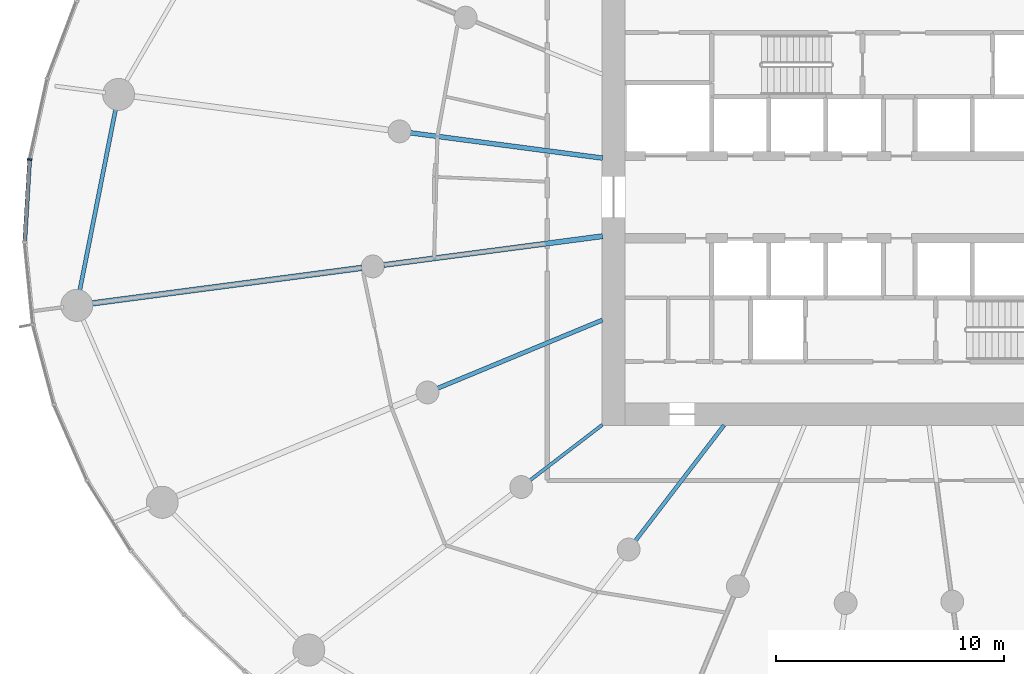
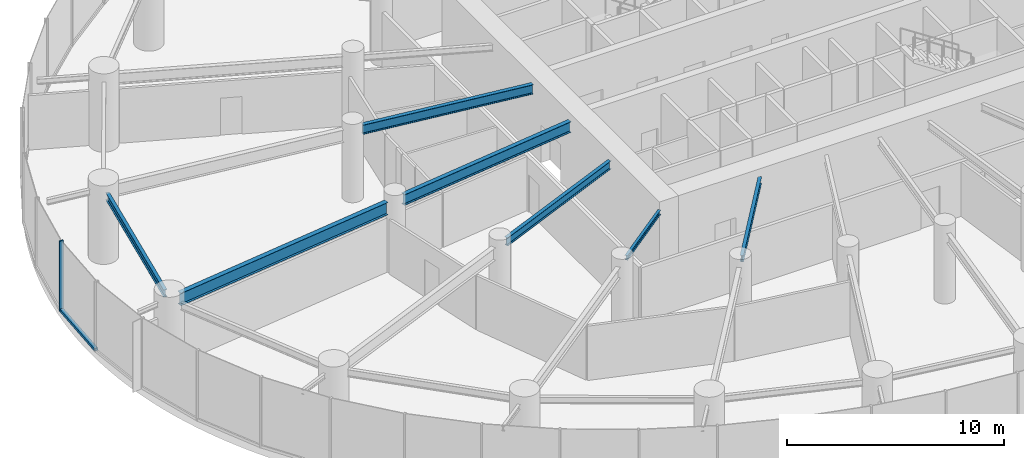
# One storey, part 3 of 17: 7 beams, 2 members, 1 element without a shape of its own.
"""IFC4 building model written with IfcOpenShell, lengths in metres."""

from ifc_helpers import new_model, si_unit, direction, frame, origin, origin_2d, place, context, subcontext, project, spatial, rectangle, i_section, extrude, source, transform, mapped, material, layer, layer_set, material_profile, profile_set, type_object, element, aggregate, save


model = new_model("IFC4")

# Units and contexts
model_context = context("Model", 3, precision=1e-05, world=origin(), true_north=direction((0.0, 1.0)))
body_context = subcontext(model_context, "Body", "Model", "MODEL_VIEW")
ifc_project = project(units=[si_unit("LENGTHUNIT", "METRE"), si_unit("AREAUNIT", "SQUARE_METRE"), si_unit("VOLUMEUNIT", "CUBIC_METRE"), si_unit("PLANEANGLEUNIT", "RADIAN"), si_unit("MASSUNIT", "GRAM", prefix="KILO")], contexts=[model_context])

# Site, building, storey
site_placement = place(None, origin())
site = spatial("IfcSite", under=ifc_project, at=site_placement, CompositionType="ELEMENT")
building_placement = place(site_placement, origin())
building = spatial("IfcBuilding", under=site, at=building_placement, Name="Spindrift Exchange Tower", CompositionType="ELEMENT")
storey_placement = place(building_placement, frame((0.0, 0.0, 35.800048828125)))
storey = spatial("IfcBuildingStorey", under=building, at=storey_placement, Name="L08", CompositionType="ELEMENT", Elevation=35.800048828125)

# Beams
ifc_material_1 = material(Name="Steel Grade 300", Category="steel")
ifc_material_profile_1 = material_profile(ifc_material_1, i_section(OverallWidth=0.22802734375, OverallDepth=0.60693359375, WebThickness=0.01123046875, FlangeThickness=0.017333984375, FilletRadius=0.013916015625, at=origin_2d()), Name="610UB113")
ifc_profile_set_1 = profile_set([ifc_material_profile_1], Name="Steel Grade 300")
beam_type_1 = type_object("IfcBeamType", Name="Floor Beam 610UB113 Steel Grade 300", PredefinedType="BEAM", material=ifc_profile_set_1)
shared_shape_1 = source(origin(), body_context, "Body", "SweptSolid", [
    extrude(i_section(OverallWidth=0.22802734375, OverallDepth=0.60693359375, WebThickness=0.01123046875, FlangeThickness=0.017333984375, FilletRadius=0.013916015625, at=origin_2d()), origin(), (0.0, 0.0, 1.0), 9.660400390625),
])
beam_1_placement = place(storey_placement, frame((39.019775390625, 46.291015625, 3.646484375), z_axis=(-0.99144767089, -0.130504850054, 0.0), x_axis=(0.130504850054, -0.99144767089, 0.0)))
element("IfcBeam", 1, at=beam_1_placement, inside=storey, type_object=beam_type_1, Name="L08 radial beam R13A", PredefinedType="BEAM", context=body_context, shape_type="MappedRepresentation", body=[
    mapped(shared_shape_1, transform((0.0, 0.0, 0.0), scale=1.0)),
])
ifc_material_profile_2 = material_profile(ifc_material_1, i_section(OverallWidth=0.25, OverallDepth=0.699951171875, WebThickness=0.008056640625, FlangeThickness=0.011962890625, at=origin_2d()), Name="700WB115")
ifc_profile_set_2 = profile_set([ifc_material_profile_2], Name="Steel Grade 300")
beam_type_2 = type_object("IfcBeamType", Name="Floor Beam 700WB115 Steel Grade 300", PredefinedType="BEAM", material=ifc_profile_set_2)
shared_shape_2 = source(origin(), body_context, "Body", "SweptSolid", [
    extrude(i_section(OverallWidth=0.25, OverallDepth=0.699951171875, WebThickness=0.008056640625, FlangeThickness=0.011962890625, at=origin_2d()), origin(), (0.0, 0.0, 1.0), 12.00830078125),
])
beam_2_placement = place(storey_placement, frame((28.490234375, 44.90478515625, 3.599853515625), z_axis=(-0.991444950947, -0.130525511844, 0.0), x_axis=(0.130525511844, -0.991444950947, 0.0)))
element("IfcBeam", 2, at=beam_2_placement, inside=storey, type_object=beam_type_2, Name="L08 radial beam R13B", PredefinedType="BEAM", context=body_context, shape_type="MappedRepresentation", body=[
    mapped(shared_shape_2, transform((0.0, 0.0, 0.0), scale=1.0)),
])
ifc_material_profile_3 = material_profile(ifc_material_1, i_section(OverallWidth=0.18994140625, OverallDepth=0.45703125, WebThickness=0.009033203125, FlangeThickness=0.014404296875, FilletRadius=0.013916015625, at=origin_2d()), Name="460UB74.6")
ifc_profile_set_3 = profile_set([ifc_material_profile_3], Name="Steel Grade 300")
beam_type_3 = type_object("IfcBeamType", Name="Floor Beam 460UB74.6 Steel Grade 300", PredefinedType="BEAM", material=ifc_profile_set_3)
shared_shape_3 = source(origin(), body_context, "Body", "SweptSolid", [
    extrude(i_section(OverallWidth=0.18994140625, OverallDepth=0.45703125, WebThickness=0.009033203125, FlangeThickness=0.014404296875, FilletRadius=0.013916015625, at=origin_2d()), origin(), (0.0, 0.0, 1.0), 7.808837890625),
])
beam_3_placement = place(storey_placement, frame((39.0185546875, 42.622802734375, 3.721435546875), z_axis=(-0.92387965154, -0.382683145003, 0.0), x_axis=(0.382683145003, -0.92387965154, 0.0)))
element("IfcBeam", 3, at=beam_3_placement, inside=storey, type_object=beam_type_3, Name="L08 radial beam R14A", PredefinedType="BEAM", context=body_context, shape_type="MappedRepresentation", body=[
    mapped(shared_shape_3, transform((0.0, 0.0, 0.0), scale=1.0)),
])
ifc_material_profile_4 = material_profile(ifc_material_1, i_section(OverallWidth=0.14599609375, OverallDepth=0.251953125, WebThickness=0.006103515625, FlangeThickness=0.008544921875, FilletRadius=0.011962890625, at=origin_2d()), Name="250UB31.4")
ifc_profile_set_4 = profile_set([ifc_material_profile_4], Name="Steel Grade 300")
beam_type_4 = type_object("IfcBeamType", Name="Floor Beam 250UB31.4 Steel Grade 300", PredefinedType="BEAM", material=ifc_profile_set_4)
shared_shape_4 = source(origin(), body_context, "Body", "SweptSolid", [
    extrude(i_section(OverallWidth=0.14599609375, OverallDepth=0.251953125, WebThickness=0.006103515625, FlangeThickness=0.008544921875, FilletRadius=0.011962890625, at=origin_2d()), origin(), (0.0, 0.0, 1.0), 3.99560546875),
])
beam_4_placement = place(storey_placement, frame((39.015869140625, 38.036865234375, 3.823974609375), z_axis=(-0.793352561574, -0.608762443851, 0.0), x_axis=(0.608762443851, -0.793352561574, 0.0)))
element("IfcBeam", 4, at=beam_4_placement, inside=storey, type_object=beam_type_4, Name="L08 radial beam R15A", PredefinedType="BEAM", context=body_context, shape_type="MappedRepresentation", body=[
    mapped(shared_shape_4, transform((0.0, 0.0, 0.0), scale=1.0)),
])
ifc_material_profile_5 = material_profile(ifc_material_1, i_section(OverallWidth=0.172119140625, OverallDepth=0.35888671875, WebThickness=0.008056640625, FlangeThickness=0.012939453125, FilletRadius=0.013916015625, at=origin_2d()), Name="360UB56.7")
ifc_profile_set_5 = profile_set([ifc_material_profile_5], Name="Steel Grade 300")
beam_type_5 = type_object("IfcBeamType", Name="Floor Beam 360UB56.7 Steel Grade 300", PredefinedType="BEAM", material=ifc_profile_set_5)
shared_shape_5 = source(origin(), body_context, "Body", "SweptSolid", [
    extrude(i_section(OverallWidth=0.172119140625, OverallDepth=0.35888671875, WebThickness=0.008056640625, FlangeThickness=0.012939453125, FilletRadius=0.013916015625, at=origin_2d()), origin(), (0.0, 0.0, 1.0), 6.37646484375),
])
beam_5_placement = place(storey_placement, frame((44.3388671875, 38.015869140625, 3.7705078125), z_axis=(-0.608766669952, -0.793349318747, 0.0), x_axis=(0.793349318747, -0.608766669952, 0.0)))
element("IfcBeam", 5, at=beam_5_placement, inside=storey, type_object=beam_type_5, Name="L08 radial beam R16A", PredefinedType="BEAM", context=body_context, shape_type="MappedRepresentation", body=[
    mapped(shared_shape_5, transform((0.0, 0.0, 0.0), scale=1.0)),
])
ifc_material_profile_6 = material_profile(ifc_material_1, i_section(OverallWidth=0.208984375, OverallDepth=0.532958984375, WebThickness=0.01025390625, FlangeThickness=0.015625, FilletRadius=0.013916015625, at=origin_2d()), Name="530UB92.4")
ifc_profile_set_6 = profile_set([ifc_material_profile_6], Name="Steel Grade 300")
beam_type_6 = type_object("IfcBeamType", Name="Floor Beam 530UB92.4 Steel Grade 300", PredefinedType="BEAM", material=ifc_profile_set_6)
shared_shape_6 = source(origin(), body_context, "Body", "SweptSolid", [
    extrude(i_section(OverallWidth=0.208984375, OverallDepth=0.532958984375, WebThickness=0.01025390625, FlangeThickness=0.015625, FilletRadius=0.013916015625, at=origin_2d()), origin(), (0.0, 0.0, 1.0), 8.4794921875),
])
beam_6_placement = place(storey_placement, frame((39.019775390625, 49.708984375, 3.683349609375), z_axis=(-0.991446551951, 0.13051335037, 0.0), x_axis=(-0.13051335037, -0.991446551951, 0.0)))
element("IfcBeam", 6, at=beam_6_placement, inside=storey, type_object=beam_type_6, Name="L08 radial beam R12A", PredefinedType="BEAM", context=body_context, shape_type="MappedRepresentation", body=[
    mapped(shared_shape_6, transform((0.0, 0.0, 0.0), scale=1.0)),
])
ifc_material_profile_7 = material_profile(ifc_material_1, i_section(OverallWidth=0.177978515625, OverallDepth=0.406005859375, WebThickness=0.0078125, FlangeThickness=0.0126953125, FilletRadius=0.013916015625, at=origin_2d()), Name="410UB59.7")
ifc_profile_set_7 = profile_set([ifc_material_profile_7], Name="Steel Grade 300")
beam_type_7 = type_object("IfcBeamType", Name="Edge Beam 410UB59.7 Steel Grade 300", PredefinedType="SPANDREL", material=ifc_profile_set_7)
shared_shape_7 = source(origin(), body_context, "Body", "SweptSolid", [
    extrude(i_section(OverallWidth=0.177978515625, OverallDepth=0.406005859375, WebThickness=0.0078125, FlangeThickness=0.0126953125, FilletRadius=0.013916015625, at=origin_2d()), origin(), (0.0, 0.0, 1.0), 8.2548828125),
])
beam_7_placement = place(storey_placement, frame((17.72607421875, 51.928466796875, 3.7470703125), z_axis=(-0.194278723288, -0.9809463684, 0.0), x_axis=(0.9809463684, -0.194278723288, 0.0)))
element("IfcBeam", 7, at=beam_7_placement, inside=storey, type_object=beam_type_7, Name="L08 edge beam E12", PredefinedType="SPANDREL", context=body_context, shape_type="MappedRepresentation", body=[
    mapped(shared_shape_7, transform((0.0, 0.0, 0.0), scale=1.0)),
])

# Curtain wall, members
ifc_material_2 = material(Name="Fritted laminated glass with bronze frame", Category="glass")
ifc_layer = layer(ifc_material_2, 0.199951171875)
ifc_layer_set = layer_set([ifc_layer], Name="ZONE 1 BRONZE FRITTED WALL")
curtain_wall_type = type_object("IfcCurtainWallType", Name="ZONE 1 BRONZE FRITTED WALL", PredefinedType="NOTDEFINED", material=ifc_layer_set)
curtain_wall_placement = place(storey_placement, origin())
curtain_wall = element("IfcCurtainWall", 8, at=curtain_wall_placement, inside=storey, type_object=curtain_wall_type, Name="L08 Zone 1 Bronze Fritted Wall run 5", PredefinedType="NOTDEFINED")
ifc_material_3 = material(Name="Bronze anodised aluminium", Category="aluminium")
ifc_material_profile_8 = material_profile(ifc_material_3, rectangle(XDim=0.080078125, YDim=0.199951171875, at=origin_2d()), Name="ZONE 1 BRONZE FRITTED WALL MULLION 80X200")
ifc_profile_set_8 = profile_set([ifc_material_profile_8], Name="Bronze anodised aluminium")
member_type_1 = type_object("IfcMemberType", Name="ZONE 1 BRONZE FRITTED WALL MULLION 80X200", PredefinedType="MULLION", material=ifc_profile_set_8)
shared_shape_8 = source(origin(), body_context, "Body", "SweptSolid", [
    extrude(rectangle(XDim=0.080078125, YDim=0.199951171875, at=origin_2d()), origin(), (0.0, 0.0, 1.0), 3.949951171875),
])
member_1_placement = place(storey_placement, frame((13.947998046875, 49.64453125, 0.0), z_axis=(0.0, 0.0, 1.0), x_axis=(-0.1367066263, -0.990611577928, 0.0)))
member_1 = element("IfcMember", 9, at=member_1_placement, type_object=member_type_1, Name="L08 mullion CW-1.29", PredefinedType="MULLION", context=body_context, shape_type="MappedRepresentation", body=[
    mapped(shared_shape_8, transform((0.0, 0.0, 0.0), scale=1.0)),
])
ifc_material_profile_9 = material_profile(ifc_material_3, rectangle(XDim=0.179931640625, YDim=0.14990234375, at=origin_2d()), Name="ZONE 1 BRONZE FRITTED WALL TRANSOM 180X150")
ifc_profile_set_9 = profile_set([ifc_material_profile_9], Name="Bronze anodised aluminium")
member_type_2 = type_object("IfcMemberType", Name="ZONE 1 BRONZE FRITTED WALL TRANSOM 180X150", PredefinedType="USERDEFINED", material=ifc_profile_set_9)
shared_shape_9 = source(origin(), body_context, "Body", "SweptSolid", [
    extrude(rectangle(XDim=0.179931640625, YDim=0.14990234375, at=origin_2d()), origin(), (0.0, 0.0, 1.0), 3.544677734375),
])
member_2_placement = place(storey_placement, frame((13.945556640625, 49.604736328125, 0.074951171875), z_axis=(-0.059989741494, -0.998198993646, 0.0), x_axis=(0.998198993646, -0.059989741494, 0.0)))
member_2 = element("IfcMember", 10, at=member_2_placement, type_object=member_type_2, Name="L08 transom CW-1.29", ObjectType="TRANSOM", PredefinedType="USERDEFINED", context=body_context, shape_type="MappedRepresentation", body=[
    mapped(shared_shape_9, transform((0.0, 0.0, 0.0), scale=1.0)),
])
aggregate(curtain_wall, [member_1, member_2])

save(model, "model.ifc")
